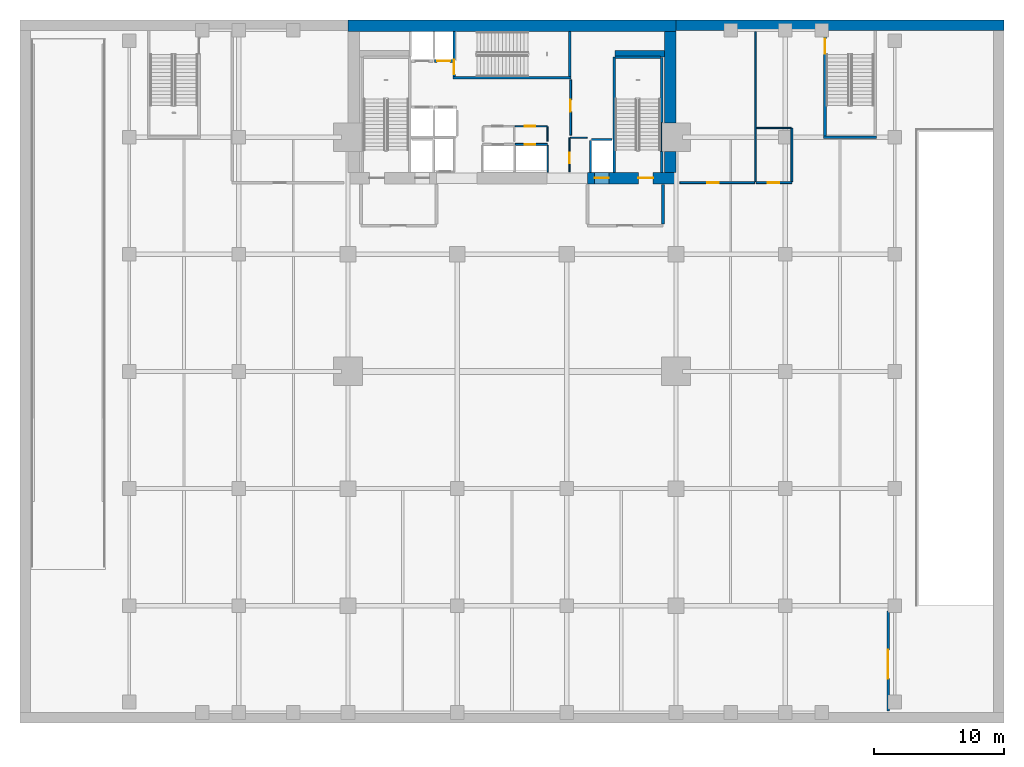
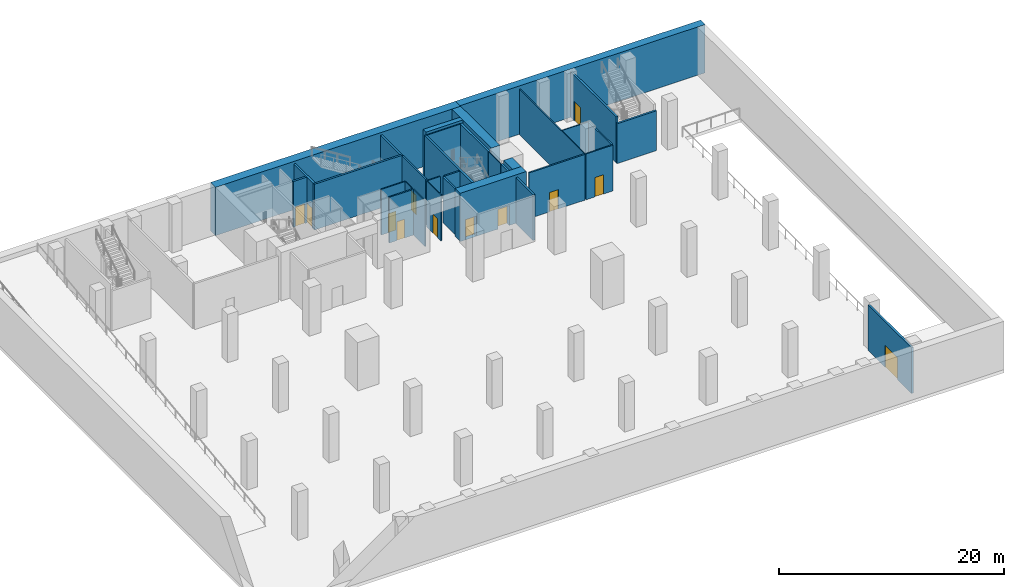
# One storey, part 5 of 10: 33 walls, 12 doors, 12 openings.
"""IFC4 building model written with IfcOpenShell, lengths in metres."""

from ifc_helpers import new_model, si_unit, direction, frame, frame_2d, origin, place, context, subcontext, project, spatial, rectangle, extrude, material, layer, layer_set, type_object, element, fill, save


model = new_model("IFC4")

# Units and contexts
model_context = context("Model", 3, precision=1e-05, world=origin(), true_north=direction((0.0, 1.0)))
body_context = subcontext(model_context, "Body", "Model", "MODEL_VIEW")
ifc_project = project(units=[si_unit("LENGTHUNIT", "METRE"), si_unit("AREAUNIT", "SQUARE_METRE"), si_unit("VOLUMEUNIT", "CUBIC_METRE"), si_unit("PLANEANGLEUNIT", "RADIAN"), si_unit("MASSUNIT", "GRAM", prefix="KILO")], contexts=[model_context])

# Site, building, storey
site_placement = place(None, origin())
site = spatial("IfcSite", under=ifc_project, at=site_placement, CompositionType="ELEMENT")
building_placement = place(site_placement, origin())
building = spatial("IfcBuilding", under=site, at=building_placement, Name="Maruvema Waterfront Hotel and Observation Tower", CompositionType="ELEMENT")
storey_placement = place(building_placement, frame((0.0, 0.0, -5.25)))
storey = spatial("IfcBuildingStorey", under=building, at=storey_placement, Name="B01", CompositionType="ELEMENT", Elevation=-5.25)

# Wall, opening, door
ifc_material_1 = material(Name="Twin-stud acoustic gypsum drywall", Category="gypsum")
ifc_layer_1 = layer(ifc_material_1, 0.14990234375, Name="Acoustic Corridor and Suite Demising Wall 150 mm")
ifc_layer_set_1 = layer_set([ifc_layer_1], Name="Twin-stud acoustic gypsum drywall")
wall_type_1 = type_object("IfcWallType", Name="Acoustic Corridor and Suite Demising Wall 150 mm", PredefinedType="PARTITIONING", material=ifc_layer_set_1)
wall_1_placement = place(storey_placement, frame((38.0400390625, 44.43994140625, 0.0), z_axis=(0.0, 0.0, 1.0), x_axis=(1.0, 0.0, 0.0)))
wall_1 = element("IfcWall", 1, at=wall_1_placement, inside=storey, type_object=wall_type_1, Name="B01 Core Riser Wall E 018", PredefinedType="PARTITIONING", context=body_context, shape_type="SweptSolid", body=[
    extrude(rectangle(XDim=2.47998046875, YDim=0.14990234375, at=frame_2d((1.239990234375, 0.0))), origin(), (0.0, 0.0, 1.0), 4.969970703125),
])
opening_1_placement = place(wall_1_placement, frame((0.75, 0.0, 0.0)))
opening_1 = element("IfcOpeningElement", 2, at=opening_1_placement, cuts=wall_1, Name="Opening DR-080", PredefinedType="OPENING", context=body_context, shape_type="SweptSolid", body=[
    extrude(rectangle(XDim=0.800048828125, YDim=2.050048828125, at=frame_2d((0.39990234375, 1.02490234375))), frame((0.0, 0.0849609375, 0.0), z_axis=(0.0, -1.0, 0.0), x_axis=(1.0, 0.0, 0.0)), (0.0, 0.0, 1.0), 0.169921875),
])
ifc_material_2 = material(Name="Powder-coated steel access leaf", Category="steel")
door_type_1 = type_object("IfcDoorType", Name="Riser and Service Cupboard Door 800x2050 mm", OperationType="NOTDEFINED", PredefinedType="DOOR", material=ifc_material_2)
door_1_placement = place(opening_1_placement, origin())
door_1 = element("IfcDoor", 3, at=door_1_placement, inside=storey, type_object=door_type_1, Name="B01 Plumbing Riser Door", OperationType="SINGLE_SWING_LEFT", OverallHeight=2.050048828125, OverallWidth=0.800048828125, PredefinedType="DOOR", context=body_context, shape_type="SweptSolid", body=[
    extrude(rectangle(XDim=0.800048828125, YDim=2.050048828125, at=frame_2d((0.39990234375, 1.02490234375))), frame((0.0, 0.02490234375, 0.0), z_axis=(0.0, -1.0, 0.0), x_axis=(1.0, 0.0, 0.0)), (0.0, 0.0, 1.0), 0.050048828125),
])
fill(opening_1, door_1)

wall_2_placement = place(storey_placement, frame((42.300048828125, 45.159912109375, 0.0), z_axis=(0.0, 0.0, 1.0), x_axis=(0.0, 1.0, 0.0)))
wall_2 = element("IfcWall", 4, at=wall_2_placement, inside=storey, type_object=wall_type_1, Name="B01 Basement Core Store Wall 022", PredefinedType="PARTITIONING", context=body_context, shape_type="SweptSolid", body=[
    extrude(rectangle(XDim=4.239990234375, YDim=0.14990234375, at=frame_2d((2.1201171875, 0.0))), origin(), (0.0, 0.0, 1.0), 4.969970703125),
])
opening_2_placement = place(wall_2_placement, frame((1.800048828125, 0.0, 0.0)))
opening_2 = element("IfcOpeningElement", 5, at=opening_2_placement, cuts=wall_2, Name="Opening DR-090", PredefinedType="OPENING", context=body_context, shape_type="SweptSolid", body=[
    extrude(rectangle(XDim=0.89990234375, YDim=2.10009765625, at=frame_2d((0.449951171875, 1.050048828125))), frame((0.0, 0.0849609375, 0.0), z_axis=(0.0, -1.0, 0.0), x_axis=(1.0, 0.0, 0.0)), (0.0, 0.0, 1.0), 0.169921875),
])
ifc_material_3 = material(Name="Solid-core lacquered timber leaf", Category="wood")
door_type_2 = type_object("IfcDoorType", Name="Accessible Toilet and Room Door 900x2100 mm", OperationType="NOTDEFINED", PredefinedType="DOOR", material=ifc_material_3)
door_2_placement = place(opening_2_placement, frame((0.89990234375, 0.0, 0.0), z_axis=(0.0, 0.0, 1.0), x_axis=(-1.0, 0.0, 0.0)))
door_2 = element("IfcDoor", 6, at=door_2_placement, inside=storey, type_object=door_type_2, Name="B01 Core Store Door", OperationType="SINGLE_SWING_RIGHT", OverallHeight=2.10009765625, OverallWidth=0.89990234375, PredefinedType="DOOR", context=body_context, shape_type="SweptSolid", body=[
    extrude(rectangle(XDim=0.89990234375, YDim=2.10009765625, at=frame_2d((0.449951171875, 1.050048828125))), frame((0.0, 0.02490234375, 0.0), z_axis=(0.0, -1.0, 0.0), x_axis=(1.0, 0.0, 0.0)), (0.0, 0.0, 1.0), 0.050048828125),
])
fill(opening_2, door_2)

wall_3_placement = place(storey_placement, frame((50.699951171875, 41.5, 0.0), z_axis=(0.0, 0.0, 1.0), x_axis=(1.0, 0.0, 0.0)))
wall_3 = element("IfcWall", 7, at=wall_3_placement, inside=storey, type_object=wall_type_1, Name="B01 B01 Bike Wall 026", PredefinedType="PARTITIONING", context=body_context, shape_type="SweptSolid", body=[
    extrude(rectangle(XDim=5.75, YDim=0.14990234375, at=frame_2d((2.875, 0.0))), origin(), (0.0, 0.0, 1.0), 4.969970703125),
])
opening_3_placement = place(wall_3_placement, frame((2.10009765625, 0.0, 0.0)))
opening_3 = element("IfcOpeningElement", 8, at=opening_3_placement, cuts=wall_3, Name="Opening DR-090", PredefinedType="OPENING", context=body_context, shape_type="SweptSolid", body=[
    extrude(rectangle(XDim=0.89990234375, YDim=2.10009765625, at=frame_2d((0.449951171875, 1.050048828125))), frame((0.0, 0.0849609375, 0.0), z_axis=(0.0, -1.0, 0.0), x_axis=(1.0, 0.0, 0.0)), (0.0, 0.0, 1.0), 0.169921875),
])
door_3_placement = place(opening_3_placement, frame((0.89990234375, 0.0, 0.0), z_axis=(0.0, 0.0, 1.0), x_axis=(-1.0, 0.0, 0.0)))
door_3 = element("IfcDoor", 9, at=door_3_placement, inside=storey, type_object=door_type_2, Name="B01 Bicycle Storage Door", OperationType="SINGLE_SWING_RIGHT", OverallHeight=2.10009765625, OverallWidth=0.89990234375, PredefinedType="DOOR", context=body_context, shape_type="SweptSolid", body=[
    extrude(rectangle(XDim=0.89990234375, YDim=2.10009765625, at=frame_2d((0.449951171875, 1.050048828125))), frame((0.0, 0.02490234375, 0.0), z_axis=(0.0, -1.0, 0.0), x_axis=(1.0, 0.0, 0.0)), (0.0, 0.0, 1.0), 0.050048828125),
])
fill(opening_3, door_3)

wall_4_placement = place(storey_placement, frame((56.550048828125, 41.5, 0.0), z_axis=(0.0, 0.0, 1.0), x_axis=(1.0, 0.0, 0.0)))
wall_4 = element("IfcWall", 10, at=wall_4_placement, inside=storey, type_object=wall_type_1, Name="B01 B01 WC Wall 027", PredefinedType="PARTITIONING", context=body_context, shape_type="SweptSolid", body=[
    extrude(rectangle(XDim=2.75, YDim=0.14990234375, at=frame_2d((1.375, 0.0))), origin(), (0.0, 0.0, 1.0), 4.969970703125),
])
opening_4_placement = place(wall_4_placement, frame((0.89990234375, 0.0, 0.0)))
opening_4 = element("IfcOpeningElement", 11, at=opening_4_placement, cuts=wall_4, Name="Opening DR-090", PredefinedType="OPENING", context=body_context, shape_type="SweptSolid", body=[
    extrude(rectangle(XDim=0.89990234375, YDim=2.10009765625, at=frame_2d((0.449951171875, 1.050048828125))), frame((0.0, 0.0849609375, 0.0), z_axis=(0.0, -1.0, 0.0), x_axis=(1.0, 0.0, 0.0)), (0.0, 0.0, 1.0), 0.169921875),
])
door_4_placement = place(opening_4_placement, frame((0.89990234375, 0.0, 0.0), z_axis=(0.0, 0.0, 1.0), x_axis=(-1.0, 0.0, 0.0)))
door_4 = element("IfcDoor", 12, at=door_4_placement, inside=storey, type_object=door_type_2, Name="B01 Accessible WC Door", OperationType="SINGLE_SWING_LEFT", OverallHeight=2.10009765625, OverallWidth=0.89990234375, PredefinedType="DOOR", context=body_context, shape_type="SweptSolid", body=[
    extrude(rectangle(XDim=0.89990234375, YDim=2.10009765625, at=frame_2d((0.449951171875, 1.050048828125))), frame((0.0, 0.02490234375, 0.0), z_axis=(0.0, -1.0, 0.0), x_axis=(1.0, 0.0, 0.0)), (0.0, 0.0, 1.0), 0.050048828125),
])
fill(opening_4, door_4)

# Walls
wall_5_placement = place(storey_placement, frame((59.300048828125, 41.580078125, 0.0), z_axis=(0.0, 0.0, 1.0), x_axis=(0.0, 1.0, 0.0)))
element("IfcWall", 13, at=wall_5_placement, inside=storey, type_object=wall_type_1, Name="B01 B01 WC East Wall 029", PredefinedType="PARTITIONING", context=body_context, shape_type="SweptSolid", body=[
    extrude(rectangle(XDim=4.119873046875, YDim=0.14990234375, at=frame_2d((2.06005859375, 0.0))), origin(), (0.0, 0.0, 1.0), 4.969970703125),
])
ifc_material_4 = material(Name="Concrete C60/75", Category="concrete")
ifc_layer_2 = layer(ifc_material_4, 0.800048828125, Name="Basement Retaining Diaphragm Wall 800 mm")
ifc_layer_set_2 = layer_set([ifc_layer_2], Name="Concrete C60/75")
wall_type_2 = type_object("IfcWallType", Name="Basement Retaining Diaphragm Wall 800 mm", PredefinedType="USERDEFINED", material=ifc_layer_set_2)
wall_6_placement = place(storey_placement, frame((50.39990234375, 53.60009765625, 0.0), z_axis=(0.0, 0.0, 1.0), x_axis=(1.0, 0.0, 0.0)))
element("IfcWall", 14, at=wall_6_placement, inside=storey, type_object=wall_type_2, Name="B01 North-East Retaining Diaphragm Wall 800 mm", ObjectType="RETAINING WALL", PredefinedType="USERDEFINED", context=body_context, shape_type="SweptSolid", body=[
    extrude(rectangle(XDim=25.2001953125, YDim=0.800048828125, at=frame_2d((12.60009765625, 0.0))), origin(), (0.0, 0.0, 1.0), 5.25),
])
ifc_material_5 = material(Name="Precast concrete C45/55", Category="concrete")
ifc_layer_3 = layer(ifc_material_5, 0.199951171875, Name="Core Shaft and Stairwell Enclosure Wall 200 mm")
ifc_layer_set_3 = layer_set([ifc_layer_3], Name="Precast concrete C45/55")
wall_type_3 = type_object("IfcWallType", Name="Core Shaft and Stairwell Enclosure Wall 200 mm", PredefinedType="SOLIDWALL", material=ifc_layer_set_3)
wall_7_placement = place(storey_placement, frame((33.25, 49.550048828125, 0.0), z_axis=(0.0, 0.0, 1.0), x_axis=(1.0, 0.0, 0.0)))
element("IfcWall", 15, at=wall_7_placement, inside=storey, type_object=wall_type_3, Name="B01 Stairwell ST-02 Shaft Wall", PredefinedType="SOLIDWALL", context=body_context, shape_type="SweptSolid", body=[
    extrude(rectangle(XDim=9.10009765625, YDim=0.199951171875, at=frame_2d((4.550048828125, 0.0))), origin(), (0.0, 0.0, 1.0), 4.969970703125),
])
wall_8_placement = place(storey_placement, frame((42.25, 49.64990234375, 0.0), z_axis=(0.0, 0.0, 1.0), x_axis=(0.0, 1.0, 0.0)))
element("IfcWall", 16, at=wall_8_placement, inside=storey, type_object=wall_type_3, Name="B01 Stairwell ST-02 Shaft Wall", PredefinedType="SOLIDWALL", context=body_context, shape_type="SweptSolid", body=[
    extrude(rectangle(XDim=3.4501953125, YDim=0.199951171875, at=frame_2d((1.72509765625, 0.0))), origin(), (0.0, 0.0, 1.0), 4.969970703125),
])

# Wall, opening, door
wall_9_placement = place(storey_placement, frame((33.35009765625, 49.64990234375, 0.0), z_axis=(0.0, 0.0, 1.0), x_axis=(0.0, 1.0, 0.0)))
wall_9 = element("IfcWall", 17, at=wall_9_placement, inside=storey, type_object=wall_type_3, Name="B01 Stairwell ST-02 Shaft Wall", PredefinedType="SOLIDWALL", context=body_context, shape_type="SweptSolid", body=[
    extrude(rectangle(XDim=3.4501953125, YDim=0.199951171875, at=frame_2d((1.72509765625, 0.0))), origin(), (0.0, 0.0, 1.0), 4.969970703125),
])
opening_5_placement = place(wall_9_placement, frame((0.179931640625, 0.0, 0.0)))
opening_5 = element("IfcOpeningElement", 18, at=opening_5_placement, cuts=wall_9, Name="Opening SD-02", PredefinedType="OPENING", context=body_context, shape_type="SweptSolid", body=[
    extrude(rectangle(XDim=1.10009765625, YDim=2.14990234375, at=frame_2d((0.550048828125, 1.074951171875))), frame((0.0, 0.10986328125, 0.0), z_axis=(0.0, -1.0, 0.0), x_axis=(1.0, 0.0, 0.0)), (0.0, 0.0, 1.0), 0.219970703125),
])
ifc_material_6 = material(Name="Fire-rated galvanised steel leaf", Category="steel")
door_type_3 = type_object("IfcDoorType", Name="Central Exit Stair Fire Door 1100x2150 mm", OperationType="NOTDEFINED", PredefinedType="DOOR", material=ifc_material_6)
door_5_placement = place(opening_5_placement, frame((1.10009765625, 0.0, 0.0), z_axis=(0.0, 0.0, 1.0), x_axis=(-1.0, 0.0, 0.0)))
door_5 = element("IfcDoor", 19, at=door_5_placement, inside=storey, type_object=door_type_3, Name="B01 Exit Stair ST-02 Fire Door", OperationType="SINGLE_SWING_LEFT", OverallHeight=2.14990234375, OverallWidth=1.10009765625, PredefinedType="DOOR", context=body_context, shape_type="SweptSolid", body=[
    extrude(rectangle(XDim=1.10009765625, YDim=2.14990234375, at=frame_2d((0.550048828125, 1.074951171875))), frame((0.0, 0.02490234375, 0.0), z_axis=(0.0, -1.0, 0.0), x_axis=(1.0, 0.0, 0.0)), (0.0, 0.0, 1.0), 0.050048828125),
])
fill(opening_5, door_5)

# Walls
wall_10_placement = place(storey_placement, frame((45.64990234375, 42.300048828125, 0.0), z_axis=(0.0, 0.0, 1.0), x_axis=(0.0, 1.0, 0.0)))
element("IfcWall", 20, at=wall_10_placement, inside=storey, type_object=wall_type_3, Name="B01 Stairwell ST-03 West Shaft Wall", PredefinedType="SOLIDWALL", context=body_context, shape_type="SweptSolid", body=[
    extrude(rectangle(XDim=8.849853515625, YDim=0.199951171875, at=frame_2d((4.4248046875, 0.0))), origin(), (0.0, 0.0, 1.0), 4.969970703125),
])
wall_11_placement = place(storey_placement, frame((49.300048828125, 42.300048828125, 0.0), z_axis=(0.0, 0.0, 1.0), x_axis=(0.0, 1.0, 0.0)))
element("IfcWall", 21, at=wall_11_placement, inside=storey, type_object=wall_type_3, Name="B01 Stairwell ST-03 Shaft Lining Wall", PredefinedType="SOLIDWALL", context=body_context, shape_type="SweptSolid", body=[
    extrude(rectangle(XDim=1.579833984375, YDim=0.199951171875, at=frame_2d((0.7900390625, 0.0))), origin(), (0.0, 0.0, 1.0), 4.969970703125),
])
wall_12_placement = place(storey_placement, frame((49.300048828125, 46.1201171875, 0.0), z_axis=(0.0, 0.0, 1.0), x_axis=(0.0, 1.0, 0.0)))
element("IfcWall", 22, at=wall_12_placement, inside=storey, type_object=wall_type_3, Name="B01 Stairwell ST-03 Shaft Lining Wall", PredefinedType="SOLIDWALL", context=body_context, shape_type="SweptSolid", body=[
    extrude(rectangle(XDim=5.0, YDim=0.199951171875, at=frame_2d((2.5, 0.0))), origin(), (0.0, 0.0, 1.0), 4.969970703125),
])
wall_13_placement = place(storey_placement, frame((45.719970703125, 51.14990234375, 0.0), z_axis=(0.0, 0.0, 1.0), x_axis=(1.0, 0.0, 0.0)))
element("IfcWall", 23, at=wall_13_placement, inside=storey, type_object=wall_type_3, Name="B01 Stairwell ST-03 Shaft Lining Wall", PredefinedType="SOLIDWALL", context=body_context, shape_type="SweptSolid", body=[
    extrude(rectangle(XDim=3.5, YDim=0.199951171875, at=frame_2d((1.75, 0.0))), origin(), (0.0, 0.0, 1.0), 4.969970703125),
])
wall_14_placement = place(storey_placement, frame((61.75, 45.0, 0.0), z_axis=(0.0, 0.0, 1.0), x_axis=(1.0, 0.0, 0.0)))
element("IfcWall", 24, at=wall_14_placement, inside=storey, type_object=wall_type_3, Name="B01 Stairwell ST-05 Shaft Wall", PredefinedType="SOLIDWALL", context=body_context, shape_type="SweptSolid", body=[
    extrude(rectangle(XDim=4.050048828125, YDim=0.199951171875, at=frame_2d((2.02490234375, 0.0))), origin(), (0.0, 0.0, 1.0), 4.3349609375),
])

# Wall, opening, door
wall_15_placement = place(storey_placement, frame((61.85009765625, 45.10009765625, 0.0), z_axis=(0.0, 0.0, 1.0), x_axis=(0.0, 1.0, 0.0)))
wall_15 = element("IfcWall", 25, at=wall_15_placement, inside=storey, type_object=wall_type_3, Name="B01 Stairwell ST-05 Shaft Wall", PredefinedType="SOLIDWALL", context=body_context, shape_type="SweptSolid", body=[
    extrude(rectangle(XDim=8.099853515625, YDim=0.199951171875, at=frame_2d((4.0498046875, 0.0))), origin(), (0.0, 0.0, 1.0), 4.969970703125),
])
opening_6_placement = place(wall_15_placement, frame((6.320068359375, 0.0, 0.0)))
opening_6 = element("IfcOpeningElement", 26, at=opening_6_placement, cuts=wall_15, Name="Opening SD-01", PredefinedType="OPENING", context=body_context, shape_type="SweptSolid", body=[
    extrude(rectangle(XDim=1.14990234375, YDim=2.14990234375, at=frame_2d((0.574951171875, 1.074951171875))), frame((0.0, 0.10986328125, 0.0), z_axis=(0.0, -1.0, 0.0), x_axis=(1.0, 0.0, 0.0)), (0.0, 0.0, 1.0), 0.219970703125),
])
ifc_material_7 = material(Name="Fire-rated galvanised steel leaf", Category="steel")
door_type_4 = type_object("IfcDoorType", Name="Exit Stair Fire Door 1150x2150 mm", OperationType="NOTDEFINED", PredefinedType="DOOR", material=ifc_material_7)
door_6_placement = place(opening_6_placement, frame((1.14990234375, 0.0, 0.0), z_axis=(0.0, 0.0, 1.0), x_axis=(-1.0, 0.0, 0.0)))
door_6 = element("IfcDoor", 27, at=door_6_placement, inside=storey, type_object=door_type_4, Name="B01 Exit Stair ST-05 Fire Door", OperationType="SINGLE_SWING_LEFT", OverallHeight=2.14990234375, OverallWidth=1.14990234375, PredefinedType="DOOR", context=body_context, shape_type="SweptSolid", body=[
    extrude(rectangle(XDim=1.14990234375, YDim=2.14990234375, at=frame_2d((0.574951171875, 1.074951171875))), frame((0.0, 0.02490234375, 0.0), z_axis=(0.0, -1.0, 0.0), x_axis=(1.0, 0.0, 0.0)), (0.0, 0.0, 1.0), 0.050048828125),
])
fill(opening_6, door_6)

wall_16_placement = place(storey_placement, frame((31.860107421875, 50.85009765625, 0.0), z_axis=(0.0, 0.0, 1.0), x_axis=(1.0, 0.0, 0.0)))
wall_16 = element("IfcWall", 28, at=wall_16_placement, inside=storey, type_object=wall_type_3, Name="B01 Lift LF-04 Hoistway Front Wall", PredefinedType="SOLIDWALL", context=body_context, shape_type="SweptSolid", body=[
    extrude(rectangle(XDim=1.3798828125, YDim=0.199951171875, at=frame_2d((0.68994140625, 0.0))), origin(), (0.0, 0.0, 1.0), 4.969970703125),
])
opening_7_placement = place(wall_16_placement, frame((0.18994140625, 0.0, 0.0)))
opening_7 = element("IfcOpeningElement", 29, at=opening_7_placement, cuts=wall_16, Name="Opening LD-01", PredefinedType="OPENING", context=body_context, shape_type="SweptSolid", body=[
    extrude(rectangle(XDim=1.0, YDim=2.14990234375, at=frame_2d((0.5, 1.074951171875))), frame((0.0, 0.10986328125, 0.0), z_axis=(0.0, -1.0, 0.0), x_axis=(1.0, 0.0, 0.0)), (0.0, 0.0, 1.0), 0.219970703125),
])
ifc_material_8 = material(Name="Brushed stainless steel Grade 316", Category="steel")
door_type_5 = type_object("IfcDoorType", Name="Passenger Lift Sliding Landing Door 1000x2150 mm", OperationType="SLIDING_TO_LEFT", PredefinedType="DOOR", material=ifc_material_8)
door_7_placement = place(opening_7_placement, frame((1.0, 0.0, 0.0), z_axis=(0.0, 0.0, 1.0), x_axis=(-1.0, 0.0, 0.0)))
door_7 = element("IfcDoor", 30, at=door_7_placement, inside=storey, type_object=door_type_5, Name="B01 Lift LF-04 Sliding Landing Door", OperationType="SLIDING_TO_LEFT", OverallHeight=2.14990234375, OverallWidth=1.0, PredefinedType="DOOR", context=body_context, shape_type="SweptSolid", body=[
    extrude(rectangle(XDim=1.0, YDim=2.14990234375, at=frame_2d((0.5, 1.074951171875))), frame((0.0, 0.02490234375, 0.0), z_axis=(0.0, -1.0, 0.0), x_axis=(1.0, 0.0, 0.0)), (0.0, 0.0, 1.0), 0.050048828125),
])
fill(opening_7, door_7)

# Walls
ifc_material_9 = material(Name="Concrete C70/85", Category="concrete")
ifc_layer_4 = layer(ifc_material_9, 0.5, Name="Core Shear Wall 500 mm")
ifc_layer_set_4 = layer_set([ifc_layer_4], Name="Concrete C70/85")
wall_type_4 = type_object("IfcWallType", Name="Core Shear Wall 500 mm", PredefinedType="SHEAR", material=ifc_layer_set_4)
wall_17_placement = place(storey_placement, frame((45.699951171875, 51.39990234375, 0.0), z_axis=(0.0, 0.0, 1.0), x_axis=(1.0, 0.0, 0.0)))
element("IfcWall", 31, at=wall_17_placement, inside=storey, type_object=wall_type_4, Name="B01 Internal Core Shear Wall NE 500 mm", PredefinedType="SHEAR", context=body_context, shape_type="SweptSolid", body=[
    extrude(rectangle(XDim=3.800048828125, YDim=0.5, at=frame_2d((1.89990234375, 0.0))), origin(), (0.0, 0.0, 1.0), 5.25),
])
ifc_material_10 = material(Name="Concrete C80/95", Category="concrete")
ifc_layer_5 = layer(ifc_material_10, 0.89990234375, Name="Core Shear Wall 900 mm")
ifc_layer_set_5 = layer_set([ifc_layer_5], Name="Concrete C80/95")
wall_type_5 = type_object("IfcWallType", Name="Core Shear Wall 900 mm", PredefinedType="SHEAR", material=ifc_layer_set_5)
wall_18_placement = place(storey_placement, frame((25.199951171875, 53.550048828125, 0.0), z_axis=(0.0, 0.0, 1.0), x_axis=(1.0, 0.0, 0.0)))
element("IfcWall", 32, at=wall_18_placement, inside=storey, type_object=wall_type_5, Name="B01 North Core Shear Wall", PredefinedType="SHEAR", context=body_context, shape_type="SweptSolid", body=[
    extrude(rectangle(XDim=25.199951171875, YDim=0.89990234375, at=frame_2d((12.60009765625, 0.0))), origin(), (0.0, 0.0, 1.0), 5.25),
])

# Wall, openings, doors
wall_19_placement = place(storey_placement, frame((43.60009765625, 41.85009765625, 0.0), z_axis=(0.0, 0.0, 1.0), x_axis=(1.0, 0.0, 0.0)))
wall_19 = element("IfcWall", 33, at=wall_19_placement, inside=storey, type_object=wall_type_5, Name="B01 South-East Core Shear Wall", PredefinedType="SHEAR", context=body_context, shape_type="SweptSolid", body=[
    extrude(rectangle(XDim=6.7998046875, YDim=0.89990234375, at=frame_2d((3.39990234375, 0.0))), origin(), (0.0, 0.0, 1.0), 5.25),
])
opening_8_placement = place(wall_19_placement, frame((3.89990234375, 0.0, 0.0)))
opening_8 = element("IfcOpeningElement", 34, at=opening_8_placement, cuts=wall_19, Name="Opening SD-01", PredefinedType="OPENING", context=body_context, shape_type="SweptSolid", body=[
    extrude(rectangle(XDim=1.14990234375, YDim=2.14990234375, at=frame_2d((0.574951171875, 1.074951171875))), frame((0.0, 0.4599609375, 0.0), z_axis=(0.0, -1.0, 0.0), x_axis=(1.0, 0.0, 0.0)), (0.0, 0.0, 1.0), 0.919921875),
])
opening_9_placement = place(wall_19_placement, frame((0.550048828125, 0.0, 0.0)))
opening_9 = element("IfcOpeningElement", 35, at=opening_9_placement, cuts=wall_19, Name="Opening LD-03", PredefinedType="OPENING", context=body_context, shape_type="SweptSolid", body=[
    extrude(rectangle(XDim=1.10009765625, YDim=2.199951171875, at=frame_2d((0.550048828125, 1.10009765625))), frame((0.0, 0.4599609375, 0.0), z_axis=(0.0, -1.0, 0.0), x_axis=(1.0, 0.0, 0.0)), (0.0, 0.0, 1.0), 0.919921875),
])
door_8_placement = place(opening_8_placement, origin())
door_8 = element("IfcDoor", 36, at=door_8_placement, inside=storey, type_object=door_type_4, Name="B01 Exit Stair ST-03 Fire Door", OperationType="SINGLE_SWING_RIGHT", OverallHeight=2.14990234375, OverallWidth=1.14990234375, PredefinedType="DOOR", context=body_context, shape_type="SweptSolid", body=[
    extrude(rectangle(XDim=1.14990234375, YDim=2.14990234375, at=frame_2d((0.574951171875, 1.074951171875))), frame((0.0, 0.02490234375, 0.0), z_axis=(0.0, -1.0, 0.0), x_axis=(1.0, 0.0, 0.0)), (0.0, 0.0, 1.0), 0.050048828125),
])
fill(opening_8, door_8)
ifc_material_11 = material(Name="Brushed stainless steel Grade 316", Category="steel")
door_type_6 = type_object("IfcDoorType", Name="Firefighting Lift Sliding Landing Door 1100x2200 mm", OperationType="SLIDING_TO_LEFT", PredefinedType="DOOR", material=ifc_material_11)
door_9_placement = place(opening_9_placement, frame((1.10009765625, 0.0, 0.0), z_axis=(0.0, 0.0, 1.0), x_axis=(-1.0, 0.0, 0.0)))
door_9 = element("IfcDoor", 37, at=door_9_placement, inside=storey, type_object=door_type_6, Name="B01 Firefighting Lift FL-02 Landing Door", OperationType="SLIDING_TO_LEFT", OverallHeight=2.199951171875, OverallWidth=1.10009765625, PredefinedType="DOOR", context=body_context, shape_type="SweptSolid", body=[
    extrude(rectangle(XDim=1.10009765625, YDim=2.199951171875, at=frame_2d((0.550048828125, 1.10009765625))), frame((0.0, 0.02490234375, 0.0), z_axis=(0.0, -1.0, 0.0), x_axis=(1.0, 0.0, 0.0)), (0.0, 0.0, 1.0), 0.050048828125),
])
fill(opening_9, door_9)

# Walls
wall_20_placement = place(storey_placement, frame((49.949951171875, 42.300048828125, 0.0), z_axis=(0.0, 0.0, 1.0), x_axis=(0.0, 1.0, 0.0)))
element("IfcWall", 38, at=wall_20_placement, inside=storey, type_object=wall_type_5, Name="B01 East-South Core Shear Wall", PredefinedType="SHEAR", context=body_context, shape_type="SweptSolid", body=[
    extrude(rectangle(XDim=1.599853515625, YDim=0.89990234375, at=frame_2d((0.7998046875, 0.0))), origin(), (0.0, 0.0, 1.0), 5.25),
])
wall_21_placement = place(storey_placement, frame((49.949951171875, 46.10009765625, 0.0), z_axis=(0.0, 0.0, 1.0), x_axis=(0.0, 1.0, 0.0)))
element("IfcWall", 39, at=wall_21_placement, inside=storey, type_object=wall_type_5, Name="B01 East-North Core Shear Wall", PredefinedType="SHEAR", context=body_context, shape_type="SweptSolid", body=[
    extrude(rectangle(XDim=7.0, YDim=0.89990234375, at=frame_2d((3.5, 0.0))), origin(), (0.0, 0.0, 1.0), 5.25),
])

# Wall, opening, door
ifc_material_12 = material(Name="Moisture-resistant cement-board drywall", Category="gypsum")
ifc_layer_6 = layer(ifc_material_12, 0.10009765625, Name="En-Suite Moisture-Resistant Partition 100 mm")
ifc_layer_set_6 = layer_set([ifc_layer_6], Name="Moisture-resistant cement-board drywall")
wall_type_6 = type_object("IfcWallType", Name="En-Suite Moisture-Resistant Partition 100 mm", PredefinedType="PARTITIONING", material=ifc_layer_set_6)
wall_22_placement = place(storey_placement, frame((38.02001953125, 45.840087890625, 0.0), z_axis=(0.0, 0.0, 1.0), x_axis=(1.0, 0.0, 0.0)))
wall_22 = element("IfcWall", 40, at=wall_22_placement, inside=storey, type_object=wall_type_6, Name="B01 Core Closet K2B North 011", PredefinedType="PARTITIONING", context=body_context, shape_type="SweptSolid", body=[
    extrude(rectangle(XDim=2.5, YDim=0.10009765625, at=frame_2d((1.25, 0.0))), origin(), (0.0, 0.0, 1.0), 4.969970703125),
])
opening_10_placement = place(wall_22_placement, frame((0.75, 0.0, 0.0)))
opening_10 = element("IfcOpeningElement", 41, at=opening_10_placement, cuts=wall_22, Name="Opening DR-080", PredefinedType="OPENING", context=body_context, shape_type="SweptSolid", body=[
    extrude(rectangle(XDim=0.800048828125, YDim=2.050048828125, at=frame_2d((0.39990234375, 1.02490234375))), frame((0.0, 0.06005859375, 0.0), z_axis=(0.0, -1.0, 0.0), x_axis=(1.0, 0.0, 0.0)), (0.0, 0.0, 1.0), 0.1201171875),
])
door_10_placement = place(opening_10_placement, origin())
door_10 = element("IfcDoor", 42, at=door_10_placement, inside=storey, type_object=door_type_1, Name="B01 Core Linen Cupboard Door", OperationType="SINGLE_SWING_RIGHT", OverallHeight=2.050048828125, OverallWidth=0.800048828125, PredefinedType="DOOR", context=body_context, shape_type="SweptSolid", body=[
    extrude(rectangle(XDim=0.800048828125, YDim=2.050048828125, at=frame_2d((0.39990234375, 1.02490234375))), frame((0.0, 0.02490234375, 0.0), z_axis=(0.0, -1.0, 0.0), x_axis=(1.0, 0.0, 0.0)), (0.0, 0.0, 1.0), 0.050048828125),
])
fill(opening_10, door_10)

# Wall
wall_23_placement = place(storey_placement, frame((40.52001953125, 44.699951171875, 0.0), z_axis=(0.0, 0.0, 1.0), x_axis=(0.0, 1.0, 0.0)))
element("IfcWall", 43, at=wall_23_placement, inside=storey, type_object=wall_type_6, Name="B01 Core Closet K2 East 014", PredefinedType="PARTITIONING", context=body_context, shape_type="SweptSolid", body=[
    extrude(rectangle(XDim=1.080078125, YDim=0.10009765625, at=frame_2d((0.5400390625, 0.0))), origin(), (0.0, 0.0, 1.0), 4.969970703125),
])

# Wall, opening, door
wall_24_placement = place(storey_placement, frame((42.219970703125, 42.35009765625, 0.0), z_axis=(0.0, 0.0, 1.0), x_axis=(0.0, 1.0, 0.0)))
wall_24 = element("IfcWall", 44, at=wall_24_placement, inside=storey, type_object=wall_type_6, Name="B01 Core Closet K2C West 015", PredefinedType="PARTITIONING", context=body_context, shape_type="SweptSolid", body=[
    extrude(rectangle(XDim=2.60986328125, YDim=0.10009765625, at=frame_2d((1.304931640625, 0.0))), origin(), (0.0, 0.0, 1.0), 4.969970703125),
])
opening_11_placement = place(wall_24_placement, frame((0.64990234375, 0.0, 0.0)))
opening_11 = element("IfcOpeningElement", 45, at=opening_11_placement, cuts=wall_24, Name="Opening DR-080", PredefinedType="OPENING", context=body_context, shape_type="SweptSolid", body=[
    extrude(rectangle(XDim=0.800048828125, YDim=2.050048828125, at=frame_2d((0.39990234375, 1.02490234375))), frame((0.0, 0.06005859375, 0.0), z_axis=(0.0, -1.0, 0.0), x_axis=(1.0, 0.0, 0.0)), (0.0, 0.0, 1.0), 0.1201171875),
])
door_11_placement = place(opening_11_placement, frame((0.800048828125, 0.0, 0.0), z_axis=(0.0, 0.0, 1.0), x_axis=(-1.0, 0.0, 0.0)))
door_11 = element("IfcDoor", 46, at=door_11_placement, inside=storey, type_object=door_type_1, Name="B01 Core Housekeeping Closet Door", OperationType="SINGLE_SWING_LEFT", OverallHeight=2.050048828125, OverallWidth=0.800048828125, PredefinedType="DOOR", context=body_context, shape_type="SweptSolid", body=[
    extrude(rectangle(XDim=0.800048828125, YDim=2.050048828125, at=frame_2d((0.39990234375, 1.02490234375))), frame((0.0, 0.02490234375, 0.0), z_axis=(0.0, -1.0, 0.0), x_axis=(1.0, 0.0, 0.0)), (0.0, 0.0, 1.0), 0.050048828125),
])
fill(opening_11, door_11)

# Walls
wall_25_placement = place(storey_placement, frame((42.280029296875, 44.9599609375, 0.0), z_axis=(0.0, 0.0, 1.0), x_axis=(1.0, 0.0, 0.0)))
element("IfcWall", 47, at=wall_25_placement, inside=storey, type_object=wall_type_6, Name="B01 Core Closet K2C North 016", PredefinedType="PARTITIONING", context=body_context, shape_type="SweptSolid", body=[
    extrude(rectangle(XDim=1.300048828125, YDim=0.10009765625, at=frame_2d((0.64990234375, 0.0))), origin(), (0.0, 0.0, 1.0), 4.969970703125),
])
wall_26_placement = place(storey_placement, frame((40.5400390625, 42.320068359375, 0.0), z_axis=(0.0, 0.0, 1.0), x_axis=(0.0, 1.0, 0.0)))
element("IfcWall", 48, at=wall_26_placement, inside=storey, type_object=wall_type_6, Name="B01 Core Riser Side E 020", PredefinedType="PARTITIONING", context=body_context, shape_type="SweptSolid", body=[
    extrude(rectangle(XDim=2.0400390625, YDim=0.10009765625, at=frame_2d((1.02001953125, 0.0))), origin(), (0.0, 0.0, 1.0), 4.969970703125),
])
wall_27_placement = place(storey_placement, frame((56.5, 41.580078125, 0.0), z_axis=(0.0, 0.0, 1.0), x_axis=(0.0, 1.0, 0.0)))
element("IfcWall", 49, at=wall_27_placement, inside=storey, type_object=wall_type_6, Name="B01 B01 Bike Split 028", PredefinedType="PARTITIONING", context=body_context, shape_type="SweptSolid", body=[
    extrude(rectangle(XDim=11.52001953125, YDim=0.10009765625, at=frame_2d((5.760009765625, 0.0))), origin(), (0.0, 0.0, 1.0), 4.969970703125),
])
wall_28_placement = place(storey_placement, frame((56.56005859375, 45.699951171875, 0.0), z_axis=(0.0, 0.0, 1.0), x_axis=(1.0, 0.0, 0.0)))
element("IfcWall", 50, at=wall_28_placement, inside=storey, type_object=wall_type_6, Name="B01 B01 WC North Wall 030", PredefinedType="PARTITIONING", context=body_context, shape_type="SweptSolid", body=[
    extrude(rectangle(XDim=2.679931640625, YDim=0.10009765625, at=frame_2d((1.33984375, 0.0))), origin(), (0.0, 0.0, 1.0), 4.969970703125),
])
ifc_material_13 = material(Name="Autoclaved cellular concrete blockwork", Category="masonry")
ifc_layer_7 = layer(ifc_material_13, 0.199951171875, Name="Fire Compartment Masonry Wall 200 mm")
ifc_layer_set_7 = layer_set([ifc_layer_7], Name="Autoclaved cellular concrete blockwork")
wall_type_7 = type_object("IfcWallType", Name="Fire Compartment Masonry Wall 200 mm", PredefinedType="PARTITIONING", material=ifc_layer_set_7)
wall_29_placement = place(storey_placement, frame((49.39990234375, 38.31005859375, 0.0), z_axis=(0.0, 0.0, 1.0), x_axis=(0.0, 1.0, 0.0)))
element("IfcWall", 51, at=wall_29_placement, inside=storey, type_object=wall_type_7, Name="B01 FFL East East Wall 006", PredefinedType="PARTITIONING", context=body_context, shape_type="SweptSolid", body=[
    extrude(rectangle(XDim=3.06982421875, YDim=0.199951171875, at=frame_2d((1.534912109375, 0.0))), origin(), (0.0, 0.0, 1.0), 4.969970703125),
])

# Wall, opening, door
wall_30_placement = place(storey_placement, frame((66.699951171875, 0.89990234375, 0.0), z_axis=(0.0, 0.0, 1.0), x_axis=(0.0, 1.0, 0.0)))
wall_30 = element("IfcWall", 52, at=wall_30_placement, inside=storey, type_object=wall_type_7, Name="B01 B01 Substation Wall 023", PredefinedType="PARTITIONING", context=body_context, shape_type="SweptSolid", body=[
    extrude(rectangle(XDim=7.7001953125, YDim=0.199951171875, at=frame_2d((3.85009765625, 0.0))), origin(), (0.0, 0.0, 1.0), 4.969970703125),
])
opening_12_placement = place(wall_30_placement, frame((2.5, 0.0, 0.0)))
opening_12 = element("IfcOpeningElement", 53, at=opening_12_placement, cuts=wall_30, Name="Opening DG-03", PredefinedType="OPENING", context=body_context, shape_type="SweptSolid", body=[
    extrude(rectangle(XDim=2.199951171875, YDim=2.39990234375, at=frame_2d((1.10009765625, 1.199951171875))), frame((0.0, 0.10986328125, 0.0), z_axis=(0.0, -1.0, 0.0), x_axis=(1.0, 0.0, 0.0)), (0.0, 0.0, 1.0), 0.219970703125),
])
ifc_material_14 = material(Name="Powder-coated galvanised steel", Category="steel")
door_type_7 = type_object("IfcDoorType", Name="Plant Room Double Equipment Gate 2200x2400 mm", OperationType="DOUBLE_DOOR_SINGLE_SWING", PredefinedType="GATE", material=ifc_material_14)
door_12_placement = place(opening_12_placement, origin())
door_12 = element("IfcDoor", 54, at=door_12_placement, inside=storey, type_object=door_type_7, Name="B01 Substation Gate", OperationType="DOUBLE_DOOR_SINGLE_SWING", OverallHeight=2.39990234375, OverallWidth=2.199951171875, PredefinedType="GATE", context=body_context, shape_type="SweptSolid", body=[
    extrude(rectangle(XDim=2.199951171875, YDim=2.39990234375, at=frame_2d((1.10009765625, 1.199951171875))), frame((0.0, 0.02490234375, 0.0), z_axis=(0.0, -1.0, 0.0), x_axis=(1.0, 0.0, 0.0)), (0.0, 0.0, 1.0), 0.050048828125),
])
fill(opening_12, door_12)

# Walls
ifc_material_15 = material(Name="Precast concrete C45/55", Category="concrete")
ifc_layer_8 = layer(ifc_material_15, 0.159912109375, Name="Lift Hoistway Divider Wall 160 mm")
ifc_layer_set_8 = layer_set([ifc_layer_8], Name="Precast concrete C45/55")
wall_type_8 = type_object("IfcWallType", Name="Lift Hoistway Divider Wall 160 mm", PredefinedType="SOLIDWALL", material=ifc_layer_set_8)
wall_31_placement = place(storey_placement, frame((43.89990234375, 44.830078125, 0.0), z_axis=(0.0, 0.0, 1.0), x_axis=(1.0, 0.0, 0.0)))
element("IfcWall", 55, at=wall_31_placement, inside=storey, type_object=wall_type_8, Name="B01 Lift FL-02 Rear Hoistway Wall", PredefinedType="SOLIDWALL", context=body_context, shape_type="SweptSolid", body=[
    extrude(rectangle(XDim=1.60009765625, YDim=0.159912109375, at=frame_2d((0.800048828125, 0.0))), origin(), (0.0, 0.0, 1.0), 4.969970703125),
])
wall_32_placement = place(storey_placement, frame((43.820068359375, 42.300048828125, 0.0), z_axis=(0.0, 0.0, 1.0), x_axis=(0.0, 1.0, 0.0)))
element("IfcWall", 56, at=wall_32_placement, inside=storey, type_object=wall_type_8, Name="B01 Lift FL-02 Inner Hoistway Wall", PredefinedType="SOLIDWALL", context=body_context, shape_type="SweptSolid", body=[
    extrude(rectangle(XDim=2.43994140625, YDim=0.159912109375, at=frame_2d((1.219970703125, 0.0))), origin(), (0.0, 0.0, 1.0), 4.969970703125),
])
ifc_material_16 = material(Name="Precast concrete C45/55", Category="concrete")
ifc_layer_9 = layer(ifc_material_16, 0.10009765625, Name="Stairwell Stringer Cheek Wall 100 mm")
ifc_layer_set_9 = layer_set([ifc_layer_9], Name="Precast concrete C45/55")
wall_type_9 = type_object("IfcWallType", Name="Stairwell Stringer Cheek Wall 100 mm", PredefinedType="SOLIDWALL", material=ifc_layer_set_9)
wall_33_placement = place(storey_placement, frame((49.248046875, 43.89990234375, 0.0), z_axis=(0.0, 0.0, 1.0), x_axis=(0.0, 1.0, 0.0)))
element("IfcWall", 57, at=wall_33_placement, inside=storey, type_object=wall_type_9, Name="B01 Stairwell ST-03 Mega-Column Cheek Wall", PredefinedType="SOLIDWALL", context=body_context, shape_type="SweptSolid", body=[
    extrude(rectangle(XDim=2.2001953125, YDim=0.10009765625, at=frame_2d((1.10009765625, 0.0))), origin(), (0.0, 0.0, 1.0), 4.969970703125),
])

save(model, "model.ifc")
